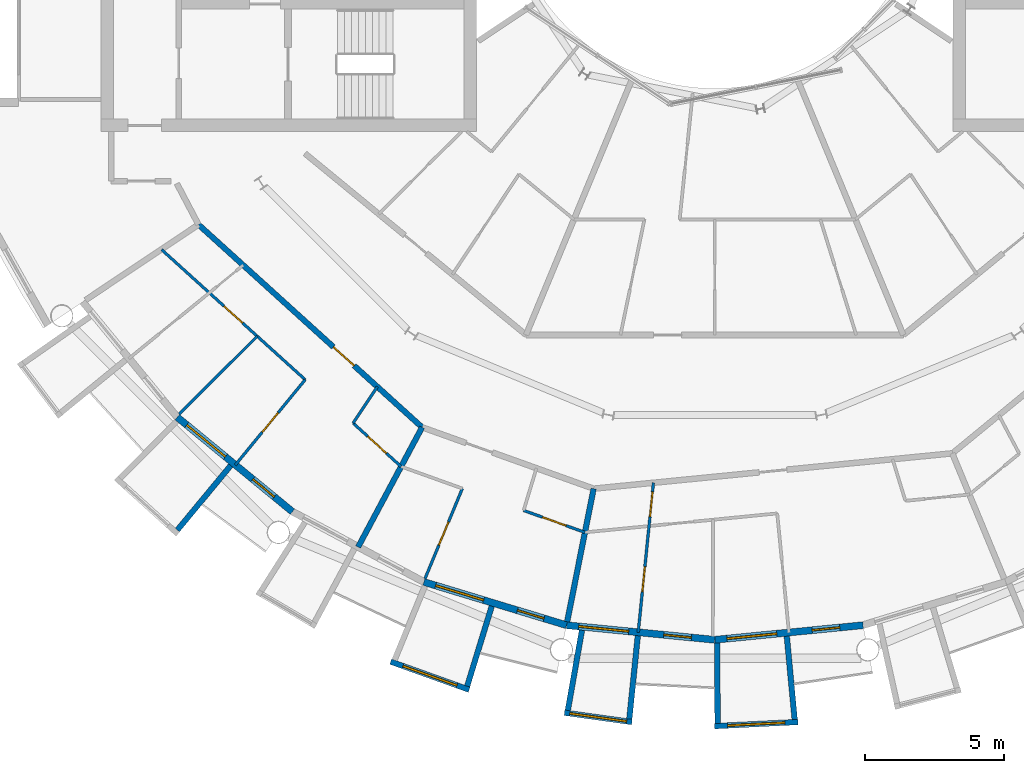
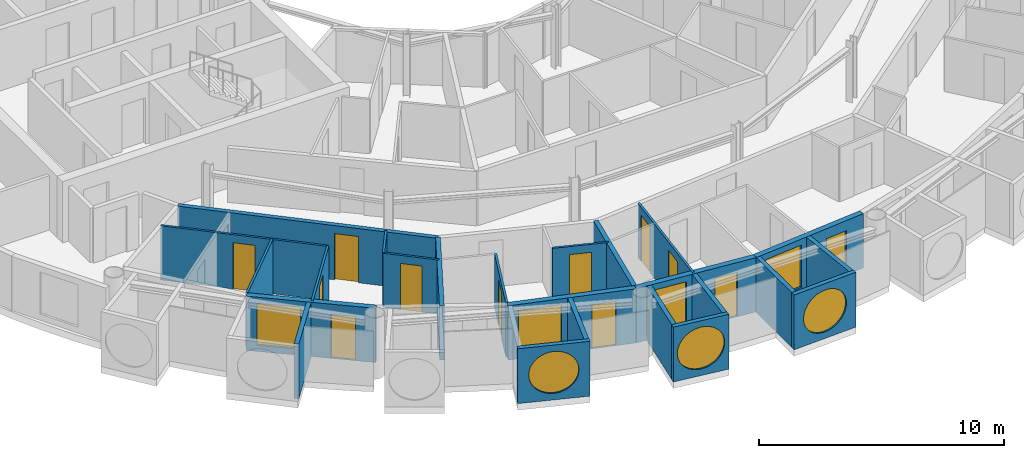
# One storey, part 15 of 29: 24 walls, 12 doors, 7 windows, 19 openings.
"""IFC4 building model written with IfcOpenShell, lengths in metres."""

import ifcopenshell
import ifcopenshell.guid

model = None  # the IFC model being written
_history = None  # IfcOwnerHistory: only IFC2X3 demands one
_inside = {}  # id of a spatial element -> (the spatial element, [elements in it])
_under = {}  # id of a project, library or spatial element -> (it, [spatial elements below it])
_declared = {}  # id of a project -> (the project, [libraries it declares])
_typed = {}  # id of a type object -> (the type object, [elements of that type])
_made_of = {}  # id of a material, layer set ... -> (it, [elements and type objects made of it])


def new_model(schema):
    """Start an empty IFC model of exactly this schema.

    Asked for "IFC4X3", IfcOpenShell would pick the latest addendum, in which some entities
    have other attributes; the version numbers below select the first issue.
    IFC2X3 requires an IfcOwnerHistory on every rooted entity: one is made here for all.
    """
    global model, _history
    if schema == "IFC4X3":
        model = ifcopenshell.file(schema_version=(4, 3, 0, 0))
    else:
        model = ifcopenshell.file(schema=schema)
    _inside.clear()
    _under.clear()
    _declared.clear()
    _typed.clear()
    _made_of.clear()
    _history = None
    if model.schema == "IFC2X3":
        org = make("IfcOrganization", Name="unknown")
        user = make(
            "IfcPersonAndOrganization",
            ThePerson=make("IfcPerson", FamilyName="unknown"),
            TheOrganization=org,
        )
        app = make(
            "IfcApplication",
            ApplicationDeveloper=org,
            Version="unknown",
            ApplicationFullName="unknown",
            ApplicationIdentifier="unknown",
        )
        _history = make(
            "IfcOwnerHistory",
            OwningUser=user,
            OwningApplication=app,
            ChangeAction="ADDED",
            CreationDate=0,
        )
    return model


def make(cls, **values):
    """One entity of the class cls with the attributes given. An attribute that is None is left unset."""
    return model.create_entity(
        cls, **{name: value for name, value in values.items() if value is not None}
    )


def rooted(cls, **values):
    """An entity with a GlobalId (a new one), such as an element, a storey or a relation."""
    return make(cls, GlobalId=ifcopenshell.guid.new(), OwnerHistory=_history, **values)


def si_unit(unit_type, name, prefix=None):
    """IfcSIUnit, for example si_unit("LENGTHUNIT", "METRE", prefix="MILLI")."""
    return make("IfcSIUnit", UnitType=unit_type, Prefix=prefix, Name=name)


def assignment(units):
    """IfcUnitAssignment: the units of a project."""
    return None if units is None else make("IfcUnitAssignment", Units=units)


def point(xyz):
    """IfcCartesianPoint."""
    return None if xyz is None else make("IfcCartesianPoint", Coordinates=xyz)


def direction(xyz):
    """IfcDirection."""
    return None if xyz is None else make("IfcDirection", DirectionRatios=xyz)


def frame(location, z_axis=None, x_axis=None):
    """IfcAxis2Placement3D, a coordinate frame: its origin and axes. An axis left out is left unset."""
    return make(
        "IfcAxis2Placement3D",
        Location=point(location),
        Axis=direction(z_axis),
        RefDirection=direction(x_axis),
    )


def frame_2d(location, x_axis=None):
    """IfcAxis2Placement2D, a coordinate frame in the plane: its origin and x axis."""
    return make(
        "IfcAxis2Placement2D", Location=point(location), RefDirection=direction(x_axis)
    )


def origin():
    """The frame at (0, 0, 0) with its axes left unset."""
    return frame((0.0, 0.0, 0.0))


def place(relative_to, where):
    """IfcLocalPlacement: puts the frame where relative to a parent placement (None: the world)."""
    return make(
        "IfcLocalPlacement", PlacementRelTo=relative_to, RelativePlacement=where
    )


def context(
    kind, dimensions, precision=None, world=None, true_north=None, identifier=None
):
    """IfcGeometricRepresentationContext, for example the 3D "Model" context."""
    return make(
        "IfcGeometricRepresentationContext",
        ContextIdentifier=identifier,
        ContextType=kind,
        CoordinateSpaceDimension=dimensions,
        Precision=precision,
        WorldCoordinateSystem=world,
        TrueNorth=true_north,
    )


def subcontext(parent, identifier, kind, view, scale=None):
    """IfcGeometricRepresentationSubContext, for example "Body" below "Model"."""
    return make(
        "IfcGeometricRepresentationSubContext",
        ContextIdentifier=identifier,
        ContextType=kind,
        ParentContext=parent,
        TargetScale=scale,
        TargetView=view,
    )


def project(units=None, contexts=None):
    """IfcProject with its units and contexts."""
    return rooted(
        "IfcProject",
        Name="project",
        RepresentationContexts=contexts,
        UnitsInContext=assignment(units),
    )


def spatial(cls, under=None, at=None, **own):
    """A site, building, storey or space (cls), placed at a placement, below another one or the project."""
    s = rooted(cls, ObjectPlacement=at, **own)
    if under is not None:
        _under.setdefault(under.id(), (under, []))[1].append(s)
    return s


def profile(cls, at=None, kind="AREA", **sizes):
    """A parametric profile (cls). Its sizes go by their IFC names, for example OverallWidth=200.0."""
    return make(cls, ProfileType=kind, Position=at, **sizes)


def rectangle(**sizes):
    """IfcRectangleProfileDef."""
    return profile("IfcRectangleProfileDef", **sizes)


def circle(**sizes):
    """IfcCircleProfileDef."""
    return profile("IfcCircleProfileDef", **sizes)


def extrude(swept, where, along, depth):
    """IfcExtrudedAreaSolid: the profile swept, set in the frame where, extruded along a direction by depth."""
    return make(
        "IfcExtrudedAreaSolid",
        SweptArea=swept,
        Position=where,
        ExtrudedDirection=direction(along),
        Depth=depth,
    )


def shape(context_of_items, identifier, shape_type, items):
    """IfcShapeRepresentation: the items that make up one representation, for example the "Body"."""
    return make(
        "IfcShapeRepresentation",
        ContextOfItems=context_of_items,
        RepresentationIdentifier=identifier,
        RepresentationType=shape_type,
        Items=items,
    )


def material(Name=None, Category=None):
    """IfcMaterial."""
    return make("IfcMaterial", Name=Name, Category=Category)


def layer(
    of_material, thickness, ventilated=None, Name=None, Category=None, Priority=None
):
    """IfcMaterialLayer: one layer of a wall or slab, of a material (None: an air gap)."""
    return make(
        "IfcMaterialLayer",
        Material=of_material,
        LayerThickness=thickness,
        IsVentilated=ventilated,
        Name=Name,
        Category=Category,
        Priority=Priority,
    )


def layer_set(layers, Name=None):
    """IfcMaterialLayerSet."""
    return make("IfcMaterialLayerSet", MaterialLayers=layers, LayerSetName=Name)


def made_of(thing, what):
    """Note that an element or type object is made of a material, layer set ...; save() writes the relation."""
    if what is not None:
        _made_of.setdefault(what.id(), (what, []))[1].append(thing)
    return thing


def type_object(cls, material=None, **own):
    """A type object (cls), such as IfcWallType, which elements share."""
    return made_of(rooted(cls, **own), material)


def element(
    cls,
    number,
    at=None,
    inside=None,
    cuts=None,
    type_object=None,
    material=None,
    context=None,
    identifier="Body",
    shape_type=None,
    held_by="IfcProductDefinitionShape",
    body=None,
    shapes=None,
    **own,
):
    """One element of the class cls, such as IfcWall. Its Tag is "e" and its number.

    at: its placement. inside: the storey or other place that contains it. cuts: it is an
    opening in that element (IfcRelVoidsElement). A single representation is given by context,
    identifier, shape_type and body (its items); several are given by shapes. held_by: the class
    of the entity that holds the representations. save() writes the other relations.
    """
    e = rooted(cls, Tag="e%d" % number, ObjectPlacement=at, **own)
    if body is not None:
        shapes = [shape(context, identifier, shape_type, body)]
    if shapes is not None:
        e.Representation = make(held_by, Representations=shapes)
    if inside is not None:
        _inside.setdefault(inside.id(), (inside, []))[1].append(e)
    if cuts is not None:
        rooted(
            "IfcRelVoidsElement", RelatingBuildingElement=cuts, RelatedOpeningElement=e
        )
    if type_object is not None:
        _typed.setdefault(type_object.id(), (type_object, []))[1].append(e)
    return made_of(e, material)


def fill(opening, filler):
    """IfcRelFillsElement: the door or window that sits in an opening."""
    return rooted(
        "IfcRelFillsElement",
        RelatingOpeningElement=opening,
        RelatedBuildingElement=filler,
    )


def aggregate(whole, parts):
    """IfcRelAggregates: a whole, such as a stair, and the parts it consists of."""
    return rooted("IfcRelAggregates", RelatingObject=whole, RelatedObjects=parts)


def save(model, path):
    """Write the relations noted so far, then the file.

    IfcRelAggregates (storeys below a building ...), IfcRelContainedInSpatialStructure (elements
    in a storey), IfcRelDefinesByType, IfcRelAssociatesMaterial and IfcRelDeclares: one each for
    every whole, place, type object, material and project.
    """
    for whole, parts in _under.values():
        aggregate(whole, parts)
    for where, things in _inside.values():
        rooted(
            "IfcRelContainedInSpatialStructure",
            RelatedElements=things,
            RelatingStructure=where,
        )
    for kind, things in _typed.values():
        rooted("IfcRelDefinesByType", RelatedObjects=things, RelatingType=kind)
    for what, things in _made_of.values():
        rooted("IfcRelAssociatesMaterial", RelatedObjects=things, RelatingMaterial=what)
    for by, libraries in _declared.values():
        rooted("IfcRelDeclares", RelatingContext=by, RelatedDefinitions=libraries)
    model.write(path)


model = new_model("IFC4")

# Units and contexts
model_context = context("Model", 3, precision=1e-05, world=origin(), true_north=direction((0.0, 1.0)))
body_context = subcontext(model_context, "Body", "Model", "MODEL_VIEW")
ifc_project = project(units=[si_unit("LENGTHUNIT", "METRE"), si_unit("AREAUNIT", "SQUARE_METRE"), si_unit("VOLUMEUNIT", "CUBIC_METRE"), si_unit("PLANEANGLEUNIT", "RADIAN"), si_unit("MASSUNIT", "GRAM", prefix="KILO")], contexts=[model_context])

# Site, building, storey
site_placement = place(None, origin())
site = spatial("IfcSite", under=ifc_project, at=site_placement, CompositionType="ELEMENT")
building_placement = place(site_placement, origin())
building = spatial("IfcBuilding", under=site, at=building_placement, Name="Maasbend Ring Residences", CompositionType="ELEMENT")
storey_placement = place(building_placement, frame((0.0, 0.0, 205.449951171875)))
storey = spatial("IfcBuildingStorey", under=building, at=storey_placement, Name="L59", CompositionType="ELEMENT", Elevation=205.449951171875)

# Wall, opening, door
ifc_material_1 = material(Name="Concrete C30/37", Category="concrete")
ifc_layer_1 = layer(ifc_material_1, 0.199951171875)
ifc_layer_set_1 = layer_set([ifc_layer_1], Name="Concrete C30/37")
wall_type_1 = type_object("IfcWallType", Name="CORRIDOR WALL 200 CONCRETE", PredefinedType="PARTITIONING", material=ifc_layer_set_1)
wall_1_placement = place(storey_placement, frame((-18.5419921875, -12.388916015625, 0.0), z_axis=(0.0, 0.0, 1.0), x_axis=(0.74093897184, -0.671572363941, 0.0)))
wall_1 = element("IfcWall", 1, at=wall_1_placement, inside=storey, type_object=wall_type_1, Name="U-L59-w014", PredefinedType="PARTITIONING", context=body_context, shape_type="SweptSolid", body=[
    extrude(rectangle(XDim=10.84033203125, YDim=0.199951171875, at=frame_2d((5.420166015625, 0.0))), origin(), (0.0, 0.0, 1.0), 2.699951171875),
])
opening_1_placement = place(wall_1_placement, frame((6.5439453125, 0.0, 0.0)))
opening_1 = element("IfcOpeningElement", 2, at=opening_1_placement, cuts=wall_1, Name="Opening D-5934", PredefinedType="OPENING", context=body_context, shape_type="SweptSolid", body=[
    extrude(rectangle(XDim=1.0, YDim=2.300048828125, at=frame_2d((0.5, 1.14990234375))), frame((0.0, 0.10986328125, 0.0), z_axis=(0.0, -1.0, 0.0), x_axis=(1.0, 0.0, 0.0)), (0.0, 0.0, 1.0), 0.219970703125),
])
ifc_material_2 = material(Name="Timber, fire-rated, painted", Category="wood")
door_type_1 = type_object("IfcDoorType", Name="FLAT ENTRANCE DOOR 1000 X 2300 FIRE-RATED", OperationType="NOTDEFINED", PredefinedType="DOOR", material=ifc_material_2)
door_1_placement = place(opening_1_placement, origin())
door_1 = element("IfcDoor", 3, at=door_1_placement, inside=storey, type_object=door_type_1, Name="D-5934", OperationType="SINGLE_SWING_RIGHT", OverallHeight=2.300048828125, OverallWidth=1.0, PredefinedType="DOOR", context=body_context, shape_type="SweptSolid", body=[
    extrude(rectangle(XDim=1.0, YDim=2.300048828125, at=frame_2d((0.5, 1.14990234375))), frame((0.0, 0.02490234375, 0.0), z_axis=(0.0, -1.0, 0.0), x_axis=(1.0, 0.0, 0.0)), (0.0, 0.0, 1.0), 0.050048828125),
])
fill(opening_1, door_1)

# Wall
ifc_material_3 = material(Name="Pale anodised aluminium panel", Category="aluminium")
ifc_layer_2 = layer(ifc_material_3, 0.199951171875)
ifc_layer_set_2 = layer_set([ifc_layer_2], Name="EW-BOX")
wall_type_2 = type_object("IfcWallType", Name="EW-BOX", PredefinedType="SOLIDWALL", material=ifc_layer_set_2)
wall_2_placement = place(storey_placement, frame((-17.384033203125, -21.041015625, -0.030029296875), z_axis=(0.0, 0.0, 1.0), x_axis=(-0.63709551667, -0.770784861449, 0.0)))
element("IfcWall", 4, at=wall_2_placement, inside=storey, type_object=wall_type_2, Name="Box side wall S03 right", PredefinedType="SOLIDWALL", context=body_context, shape_type="SweptSolid", body=[
    extrude(rectangle(XDim=3.005859375, YDim=0.199951171875, at=frame_2d((1.5029296875, 0.0))), origin(), (0.0, 0.0, 1.0), 2.72998046875),
])

# Wall, opening, window
wall_3_placement = place(storey_placement, frame((-11.637939453125, -28.083984375, -0.030029296875), z_axis=(0.0, 0.0, 1.0), x_axis=(0.941461077774, -0.337121697664, 0.0)))
wall_3 = element("IfcWall", 5, at=wall_3_placement, inside=storey, type_object=wall_type_2, Name="Box front S07", PredefinedType="SOLIDWALL", context=body_context, shape_type="SweptSolid", body=[
    extrude(rectangle(XDim=2.9931640625, YDim=0.199951171875, at=frame_2d((1.49658203125, 0.0))), origin(), (0.0, 0.0, 1.0), 2.72998046875),
])
opening_2_placement = place(wall_3_placement, frame((0.45654296875, 0.0, 0.330078125)))
opening_2 = element("IfcOpeningElement", 6, at=opening_2_placement, cuts=wall_3, Name="Opening W-RD", PredefinedType="OPENING", context=body_context, shape_type="SweptSolid", body=[
    extrude(circle(Radius=1.0400390625, at=frame_2d((1.0400390625, 1.0400390625))), frame((0.0, 0.10986328125, 0.0), z_axis=(0.0, -1.0, 0.0), x_axis=(1.0, 0.0, 0.0)), (0.0, 0.0, 1.0), 0.219970703125),
])
ifc_material_4 = material(Name="Aluminium and clear glass", Category="aluminium")
window_type_1 = type_object("IfcWindowType", Name="W-RD", PartitioningType="SINGLE_PANEL", PredefinedType="WINDOW", material=ifc_material_4)
window_1_placement = place(opening_2_placement, origin())
window_1 = element("IfcWindow", 7, at=window_1_placement, inside=storey, type_object=window_type_1, Name="Round window S07", OverallHeight=2.080078125, OverallWidth=2.080078125, PartitioningType="SINGLE_PANEL", PredefinedType="WINDOW", context=body_context, shape_type="SweptSolid", body=[
    extrude(circle(Radius=1.0400390625, at=frame_2d((1.0400390625, 1.0400390625))), frame((0.0, 0.030029296875, 0.0), z_axis=(0.0, -1.0, 0.0), x_axis=(1.0, 0.0, 0.0)), (0.0, 0.0, 1.0), 0.06005859375),
])
fill(opening_2, window_1)

# Wall
wall_4_placement = place(storey_placement, frame((-8.009033203125, -26.092041015625, -0.030029296875), z_axis=(0.0, 0.0, 1.0), x_axis=(-0.293406695073, -0.955987715029, 0.0)))
element("IfcWall", 8, at=wall_4_placement, inside=storey, type_object=wall_type_2, Name="Box side wall S07 right", PredefinedType="SOLIDWALL", context=body_context, shape_type="SweptSolid", body=[
    extrude(rectangle(XDim=3.00634765625, YDim=0.199951171875, at=frame_2d((1.503173828125, 0.0))), origin(), (0.0, 0.0, 1.0), 2.72998046875),
])

# Wall, opening, window
wall_5_placement = place(storey_placement, frame((-5.39794921875, -29.9169921875, -0.030029296875), z_axis=(0.0, 0.0, 1.0), x_axis=(0.990462016113, -0.137786046596, 0.0)))
wall_5 = element("IfcWall", 9, at=wall_5_placement, inside=storey, type_object=wall_type_2, Name="Box front S09", PredefinedType="SOLIDWALL", context=body_context, shape_type="SweptSolid", body=[
    extrude(rectangle(XDim=2.4453125, YDim=0.199951171875, at=frame_2d((1.22265625, 0.0))), origin(), (0.0, 0.0, 1.0), 2.72998046875),
])
opening_3_placement = place(wall_5_placement, frame((0.182861328125, 0.0, 0.330078125)))
opening_3 = element("IfcOpeningElement", 10, at=opening_3_placement, cuts=wall_5, Name="Opening W-RD", PredefinedType="OPENING", context=body_context, shape_type="SweptSolid", body=[
    extrude(circle(Radius=1.0400390625, at=frame_2d((1.0400390625, 1.0400390625))), frame((0.0, 0.10986328125, 0.0), z_axis=(0.0, -1.0, 0.0), x_axis=(1.0, 0.0, 0.0)), (0.0, 0.0, 1.0), 0.219970703125),
])
window_2_placement = place(opening_3_placement, origin())
window_2 = element("IfcWindow", 11, at=window_2_placement, inside=storey, type_object=window_type_1, Name="Round window S09", OverallHeight=2.080078125, OverallWidth=2.080078125, PartitioningType="SINGLE_PANEL", PredefinedType="WINDOW", context=body_context, shape_type="SweptSolid", body=[
    extrude(circle(Radius=1.0400390625, at=frame_2d((1.0400390625, 1.0400390625))), frame((0.0, 0.030029296875, 0.0), z_axis=(0.0, -1.0, 0.0), x_axis=(1.0, 0.0, 0.0)), (0.0, 0.0, 1.0), 0.06005859375),
])
fill(opening_3, window_2)

# Walls
wall_6_placement = place(storey_placement, frame((-4.76904296875, -26.9560546875, -0.030029296875), z_axis=(0.0, 0.0, 1.0), x_axis=(-0.174056778901, -0.984735618183, 0.0)))
element("IfcWall", 12, at=wall_6_placement, inside=storey, type_object=wall_type_2, Name="Box side wall S09 left", PredefinedType="SOLIDWALL", context=body_context, shape_type="SweptSolid", body=[
    extrude(rectangle(XDim=2.924560546875, YDim=0.199951171875, at=frame_2d((1.46240234375, 0.0))), origin(), (0.0, 0.0, 1.0), 2.72998046875),
])
wall_7_placement = place(storey_placement, frame((-2.763916015625, -27.153076171875, -0.030029296875), z_axis=(0.0, 0.0, 1.0), x_axis=(-0.101505487237, -0.994834979311, 0.0)))
element("IfcWall", 13, at=wall_7_placement, inside=storey, type_object=wall_type_2, Name="Box side wall S09 right", PredefinedType="SOLIDWALL", context=body_context, shape_type="SweptSolid", body=[
    extrude(rectangle(XDim=3.006591796875, YDim=0.199951171875, at=frame_2d((1.50341796875, 0.0))), origin(), (0.0, 0.0, 1.0), 2.72998046875),
])

# Wall, opening, window
wall_8_placement = place(storey_placement, frame((-0.0048828125, -30.39990234375, -0.030029296875), z_axis=(0.0, 0.0, 1.0), x_axis=(0.998794083011, 0.049095618353, 0.0)))
wall_8 = element("IfcWall", 14, at=wall_8_placement, inside=storey, type_object=wall_type_2, Name="Box front S11", PredefinedType="SOLIDWALL", context=body_context, shape_type="SweptSolid", body=[
    extrude(rectangle(XDim=2.99365234375, YDim=0.199951171875, at=frame_2d((1.496826171875, 0.0))), origin(), (0.0, 0.0, 1.0), 2.72998046875),
])
opening_4_placement = place(wall_8_placement, frame((0.45654296875, 0.0, 0.330078125)))
opening_4 = element("IfcOpeningElement", 15, at=opening_4_placement, cuts=wall_8, Name="Opening W-RD", PredefinedType="OPENING", context=body_context, shape_type="SweptSolid", body=[
    extrude(circle(Radius=1.0400390625, at=frame_2d((1.0400390625, 1.0400390625))), frame((0.0, 0.10986328125, 0.0), z_axis=(0.0, -1.0, 0.0), x_axis=(1.0, 0.0, 0.0)), (0.0, 0.0, 1.0), 0.219970703125),
])
window_3_placement = place(opening_4_placement, origin())
window_3 = element("IfcWindow", 16, at=window_3_placement, inside=storey, type_object=window_type_1, Name="Round window S11", OverallHeight=2.080078125, OverallWidth=2.080078125, PartitioningType="SINGLE_PANEL", PredefinedType="WINDOW", context=body_context, shape_type="SweptSolid", body=[
    extrude(circle(Radius=1.0400390625, at=frame_2d((1.0400390625, 1.0400390625))), frame((0.0, 0.030029296875, 0.0), z_axis=(0.0, -1.0, 0.0), x_axis=(1.0, 0.0, 0.0)), (0.0, 0.0, 1.0), 0.06005859375),
])
fill(opening_4, window_3)

# Walls
wall_9_placement = place(storey_placement, frame((0.090087890625, -27.4169921875, -0.030029296875), z_axis=(0.0, 0.0, 1.0), x_axis=(0.00347308367, -0.999993968827, 0.0)))
element("IfcWall", 17, at=wall_9_placement, inside=storey, type_object=wall_type_2, Name="Box side wall S11 left", PredefinedType="SOLIDWALL", context=body_context, shape_type="SweptSolid", body=[
    extrude(rectangle(XDim=2.882080078125, YDim=0.199951171875, at=frame_2d((1.44091796875, 0.0))), origin(), (0.0, 0.0, 1.0), 2.72998046875),
])
wall_10_placement = place(storey_placement, frame((2.5859375, -27.1708984375, -0.030029296875), z_axis=(0.0, 0.0, 1.0), x_axis=(0.094548432284, -0.995520262954, 0.0)))
element("IfcWall", 18, at=wall_10_placement, inside=storey, type_object=wall_type_2, Name="Box side wall S11 right", PredefinedType="SOLIDWALL", context=body_context, shape_type="SweptSolid", body=[
    extrude(rectangle(XDim=3.005615234375, YDim=0.199951171875, at=frame_2d((1.5029296875, 0.0))), origin(), (0.0, 0.0, 1.0), 2.72998046875),
])

# Wall, openings, door, window
ifc_material_5 = material(Name="Aluminium clad insulated panel", Category="aluminium")
ifc_layer_3 = layer(ifc_material_5, 0.25)
ifc_layer_set_3 = layer_set([ifc_layer_3], Name="EW-GL")
wall_type_3 = type_object("IfcWallType", Name="EW-GL", PredefinedType="SOLIDWALL", material=ifc_layer_set_3)
wall_11_placement = place(storey_placement, frame((-19.303955078125, -19.303955078125, 0.0), z_axis=(0.0, 0.0, 1.0), x_axis=(0.773019449054, -0.634382322723, 0.0)))
wall_11 = element("IfcWall", 19, at=wall_11_placement, inside=storey, type_object=wall_type_3, Name="External wall S02", PredefinedType="SOLIDWALL", context=body_context, shape_type="SweptSolid", body=[
    extrude(rectangle(XDim=5.351806640625, YDim=0.25, at=frame_2d((2.67578125, 0.0))), origin(), (0.0, 0.0, 1.0), 2.699951171875),
])
opening_5_placement = place(wall_11_placement, frame((0.441162109375, 0.0, 0.300048828125)))
opening_5 = element("IfcOpeningElement", 20, at=opening_5_placement, cuts=wall_11, Name="Opening W-BX", PredefinedType="OPENING", context=body_context, shape_type="SweptSolid", body=[
    extrude(rectangle(XDim=1.800048828125, YDim=2.10009765625, at=frame_2d((0.89990234375, 1.050048828125))), frame((0.0, 0.135009765625, 0.0), z_axis=(0.0, -1.0, 0.0), x_axis=(1.0, 0.0, 0.0)), (0.0, 0.0, 1.0), 0.27001953125),
])
opening_6_placement = place(wall_11_placement, frame((3.510498046875, 0.0, 0.0)))
opening_6 = element("IfcOpeningElement", 21, at=opening_6_placement, cuts=wall_11, Name="Opening D-LG", PredefinedType="OPENING", context=body_context, shape_type="SweptSolid", body=[
    extrude(rectangle(XDim=1.0, YDim=2.199951171875, at=frame_2d((0.5, 1.10009765625))), frame((0.0, 0.135009765625, 0.0), z_axis=(0.0, -1.0, 0.0), x_axis=(1.0, 0.0, 0.0)), (0.0, 0.0, 1.0), 0.27001953125),
])
ifc_material_6 = material(Name="Aluminium and clear glass", Category="aluminium")
door_type_2 = type_object("IfcDoorType", Name="D-LG", OperationType="SINGLE_SWING_LEFT", PredefinedType="DOOR", material=ifc_material_6)
door_2_placement = place(opening_6_placement, origin())
door_2 = element("IfcDoor", 22, at=door_2_placement, inside=storey, type_object=door_type_2, Name="Loggia door S04", OperationType="SINGLE_SWING_LEFT", OverallHeight=2.199951171875, OverallWidth=1.0, PredefinedType="DOOR", context=body_context, shape_type="SweptSolid", body=[
    extrude(rectangle(XDim=1.0, YDim=2.199951171875, at=frame_2d((0.5, 1.10009765625))), frame((0.0, 0.02490234375, 0.0), z_axis=(0.0, -1.0, 0.0), x_axis=(1.0, 0.0, 0.0)), (0.0, 0.0, 1.0), 0.050048828125),
])
fill(opening_6, door_2)
ifc_material_7 = material(Name="Aluminium and clear glass", Category="aluminium")
window_type_2 = type_object("IfcWindowType", Name="W-BX", PartitioningType="DOUBLE_PANEL_VERTICAL", PredefinedType="WINDOW", material=ifc_material_7)
window_4_placement = place(opening_5_placement, origin())
window_4 = element("IfcWindow", 23, at=window_4_placement, inside=storey, type_object=window_type_2, Name="Window S03 room to box", OverallHeight=2.10009765625, OverallWidth=1.800048828125, PartitioningType="SINGLE_PANEL", PredefinedType="WINDOW", context=body_context, shape_type="SweptSolid", body=[
    extrude(rectangle(XDim=1.800048828125, YDim=2.10009765625, at=frame_2d((0.89990234375, 1.050048828125))), frame((0.0, 0.030029296875, 0.0), z_axis=(0.0, -1.0, 0.0), x_axis=(1.0, 0.0, 0.0)), (0.0, 0.0, 1.0), 0.06005859375),
])
fill(opening_5, window_4)

wall_12_placement = place(storey_placement, frame((-10.447021484375, -25.221923828125, 0.0), z_axis=(0.0, 0.0, 1.0), x_axis=(0.956965678721, -0.290201119486, 0.0)))
wall_12 = element("IfcWall", 24, at=wall_12_placement, inside=storey, type_object=wall_type_3, Name="External wall S04", PredefinedType="SOLIDWALL", context=body_context, shape_type="SweptSolid", body=[
    extrude(rectangle(XDim=5.351318359375, YDim=0.25, at=frame_2d((2.67578125, 0.0))), origin(), (0.0, 0.0, 1.0), 2.699951171875),
])
opening_7_placement = place(wall_12_placement, frame((0.441162109375, 0.0, 0.300048828125)))
opening_7 = element("IfcOpeningElement", 25, at=opening_7_placement, cuts=wall_12, Name="Opening W-BX", PredefinedType="OPENING", context=body_context, shape_type="SweptSolid", body=[
    extrude(rectangle(XDim=1.800048828125, YDim=2.10009765625, at=frame_2d((0.89990234375, 1.050048828125))), frame((0.0, 0.135009765625, 0.0), z_axis=(0.0, -1.0, 0.0), x_axis=(1.0, 0.0, 0.0)), (0.0, 0.0, 1.0), 0.27001953125),
])
opening_8_placement = place(wall_12_placement, frame((3.510498046875, 0.0, 0.0)))
opening_8 = element("IfcOpeningElement", 26, at=opening_8_placement, cuts=wall_12, Name="Opening D-LG", PredefinedType="OPENING", context=body_context, shape_type="SweptSolid", body=[
    extrude(rectangle(XDim=1.0, YDim=2.199951171875, at=frame_2d((0.5, 1.10009765625))), frame((0.0, 0.135009765625, 0.0), z_axis=(0.0, -1.0, 0.0), x_axis=(1.0, 0.0, 0.0)), (0.0, 0.0, 1.0), 0.27001953125),
])
door_3_placement = place(opening_8_placement, origin())
door_3 = element("IfcDoor", 27, at=door_3_placement, inside=storey, type_object=door_type_2, Name="Loggia door S08", OperationType="SINGLE_SWING_LEFT", OverallHeight=2.199951171875, OverallWidth=1.0, PredefinedType="DOOR", context=body_context, shape_type="SweptSolid", body=[
    extrude(rectangle(XDim=1.0, YDim=2.199951171875, at=frame_2d((0.5, 1.10009765625))), frame((0.0, 0.02490234375, 0.0), z_axis=(0.0, -1.0, 0.0), x_axis=(1.0, 0.0, 0.0)), (0.0, 0.0, 1.0), 0.050048828125),
])
fill(opening_8, door_3)
window_5_placement = place(opening_7_placement, origin())
window_5 = element("IfcWindow", 28, at=window_5_placement, inside=storey, type_object=window_type_2, Name="Window S07 room to box", OverallHeight=2.10009765625, OverallWidth=1.800048828125, PartitioningType="SINGLE_PANEL", PredefinedType="WINDOW", context=body_context, shape_type="SweptSolid", body=[
    extrude(rectangle(XDim=1.800048828125, YDim=2.10009765625, at=frame_2d((0.89990234375, 1.050048828125))), frame((0.0, 0.030029296875, 0.0), z_axis=(0.0, -1.0, 0.0), x_axis=(1.0, 0.0, 0.0)), (0.0, 0.0, 1.0), 0.06005859375),
])
fill(opening_7, window_5)

wall_13_placement = place(storey_placement, frame((-5.325927734375, -26.77490234375, 0.0), z_axis=(0.0, 0.0, 1.0), x_axis=(0.995173996315, -0.098126026407, 0.0)))
wall_13 = element("IfcWall", 29, at=wall_13_placement, inside=storey, type_object=wall_type_3, Name="External wall S05", PredefinedType="SOLIDWALL", context=body_context, shape_type="SweptSolid", body=[
    extrude(rectangle(XDim=5.351806640625, YDim=0.25, at=frame_2d((2.67578125, 0.0))), origin(), (0.0, 0.0, 1.0), 2.699951171875),
])
opening_9_placement = place(wall_13_placement, frame((0.441162109375, 0.0, 0.300048828125)))
opening_9 = element("IfcOpeningElement", 30, at=opening_9_placement, cuts=wall_13, Name="Opening W-BX", PredefinedType="OPENING", context=body_context, shape_type="SweptSolid", body=[
    extrude(rectangle(XDim=1.800048828125, YDim=2.10009765625, at=frame_2d((0.89990234375, 1.050048828125))), frame((0.0, 0.135009765625, 0.0), z_axis=(0.0, -1.0, 0.0), x_axis=(1.0, 0.0, 0.0)), (0.0, 0.0, 1.0), 0.27001953125),
])
opening_10_placement = place(wall_13_placement, frame((3.510498046875, 0.0, 0.0)))
opening_10 = element("IfcOpeningElement", 31, at=opening_10_placement, cuts=wall_13, Name="Opening D-LG", PredefinedType="OPENING", context=body_context, shape_type="SweptSolid", body=[
    extrude(rectangle(XDim=1.0, YDim=2.199951171875, at=frame_2d((0.5, 1.10009765625))), frame((0.0, 0.135009765625, 0.0), z_axis=(0.0, -1.0, 0.0), x_axis=(1.0, 0.0, 0.0)), (0.0, 0.0, 1.0), 0.27001953125),
])
door_4_placement = place(opening_10_placement, origin())
door_4 = element("IfcDoor", 32, at=door_4_placement, inside=storey, type_object=door_type_2, Name="Loggia door S10", OperationType="SINGLE_SWING_LEFT", OverallHeight=2.199951171875, OverallWidth=1.0, PredefinedType="DOOR", context=body_context, shape_type="SweptSolid", body=[
    extrude(rectangle(XDim=1.0, YDim=2.199951171875, at=frame_2d((0.5, 1.10009765625))), frame((0.0, 0.02490234375, 0.0), z_axis=(0.0, -1.0, 0.0), x_axis=(1.0, 0.0, 0.0)), (0.0, 0.0, 1.0), 0.050048828125),
])
fill(opening_10, door_4)
window_6_placement = place(opening_9_placement, origin())
window_6 = element("IfcWindow", 33, at=window_6_placement, inside=storey, type_object=window_type_2, Name="Window S09 room to box", OverallHeight=2.10009765625, OverallWidth=1.800048828125, PartitioningType="SINGLE_PANEL", PredefinedType="WINDOW", context=body_context, shape_type="SweptSolid", body=[
    extrude(rectangle(XDim=1.800048828125, YDim=2.10009765625, at=frame_2d((0.89990234375, 1.050048828125))), frame((0.0, 0.030029296875, 0.0), z_axis=(0.0, -1.0, 0.0), x_axis=(1.0, 0.0, 0.0)), (0.0, 0.0, 1.0), 0.06005859375),
])
fill(opening_9, window_6)

wall_14_placement = place(storey_placement, frame((0.0, -27.300048828125, 0.0), z_axis=(0.0, 0.0, 1.0), x_axis=(0.995173996315, 0.098126026407, 0.0)))
wall_14 = element("IfcWall", 34, at=wall_14_placement, inside=storey, type_object=wall_type_3, Name="External wall S06", PredefinedType="SOLIDWALL", context=body_context, shape_type="SweptSolid", body=[
    extrude(rectangle(XDim=5.351806640625, YDim=0.25, at=frame_2d((2.67578125, 0.0))), origin(), (0.0, 0.0, 1.0), 2.699951171875),
])
opening_11_placement = place(wall_14_placement, frame((0.441162109375, 0.0, 0.300048828125)))
opening_11 = element("IfcOpeningElement", 35, at=opening_11_placement, cuts=wall_14, Name="Opening W-BX", PredefinedType="OPENING", context=body_context, shape_type="SweptSolid", body=[
    extrude(rectangle(XDim=1.800048828125, YDim=2.10009765625, at=frame_2d((0.89990234375, 1.050048828125))), frame((0.0, 0.135009765625, 0.0), z_axis=(0.0, -1.0, 0.0), x_axis=(1.0, 0.0, 0.0)), (0.0, 0.0, 1.0), 0.27001953125),
])
opening_12_placement = place(wall_14_placement, frame((3.510498046875, 0.0, 0.0)))
opening_12 = element("IfcOpeningElement", 36, at=opening_12_placement, cuts=wall_14, Name="Opening D-LG", PredefinedType="OPENING", context=body_context, shape_type="SweptSolid", body=[
    extrude(rectangle(XDim=1.0, YDim=2.199951171875, at=frame_2d((0.5, 1.10009765625))), frame((0.0, 0.135009765625, 0.0), z_axis=(0.0, -1.0, 0.0), x_axis=(1.0, 0.0, 0.0)), (0.0, 0.0, 1.0), 0.27001953125),
])
door_5_placement = place(opening_12_placement, origin())
door_5 = element("IfcDoor", 37, at=door_5_placement, inside=storey, type_object=door_type_2, Name="Loggia door S12", OperationType="SINGLE_SWING_LEFT", OverallHeight=2.199951171875, OverallWidth=1.0, PredefinedType="DOOR", context=body_context, shape_type="SweptSolid", body=[
    extrude(rectangle(XDim=1.0, YDim=2.199951171875, at=frame_2d((0.5, 1.10009765625))), frame((0.0, 0.02490234375, 0.0), z_axis=(0.0, -1.0, 0.0), x_axis=(1.0, 0.0, 0.0)), (0.0, 0.0, 1.0), 0.050048828125),
])
fill(opening_12, door_5)
window_7_placement = place(opening_11_placement, origin())
window_7 = element("IfcWindow", 38, at=window_7_placement, inside=storey, type_object=window_type_2, Name="Window S11 room to box", OverallHeight=2.10009765625, OverallWidth=1.800048828125, PartitioningType="SINGLE_PANEL", PredefinedType="WINDOW", context=body_context, shape_type="SweptSolid", body=[
    extrude(rectangle(XDim=1.800048828125, YDim=2.10009765625, at=frame_2d((0.89990234375, 1.050048828125))), frame((0.0, 0.030029296875, 0.0), z_axis=(0.0, -1.0, 0.0), x_axis=(1.0, 0.0, 0.0)), (0.0, 0.0, 1.0), 0.06005859375),
])
fill(opening_11, window_7)

# Wall, opening, door
ifc_material_8 = material(Name="Gypsum board on steel studs", Category="steel")
ifc_layer_4 = layer(ifc_material_8, 0.10009765625)
ifc_layer_set_4 = layer_set([ifc_layer_4], Name="PARTITION 100 GYPSUM")
wall_type_4 = type_object("IfcWallType", Name="PARTITION 100 GYPSUM", PredefinedType="PARTITIONING", material=ifc_layer_set_4)
wall_15_placement = place(storey_placement, frame((-6.864013671875, -22.654052734375, 0.0), z_axis=(0.0, 0.0, 1.0), x_axis=(0.941498294089, -0.337017747646, 0.0)))
wall_15 = element("IfcWall", 39, at=wall_15_placement, inside=storey, type_object=wall_type_4, Name="U-L59-w002", PredefinedType="PARTITIONING", context=body_context, shape_type="SweptSolid", body=[
    extrude(rectangle(XDim=2.337646484375, YDim=0.10009765625, at=frame_2d((1.1689453125, 0.0))), origin(), (0.0, 0.0, 1.0), 2.699951171875),
])
opening_13_placement = place(wall_15_placement, frame((0.718994140625, 0.0, 0.0)))
opening_13 = element("IfcOpeningElement", 40, at=opening_13_placement, cuts=wall_15, Name="Opening D-5941", PredefinedType="OPENING", context=body_context, shape_type="SweptSolid", body=[
    extrude(rectangle(XDim=0.89990234375, YDim=2.300048828125, at=frame_2d((0.449951171875, 1.14990234375))), frame((0.0, 0.06005859375, 0.0), z_axis=(0.0, -1.0, 0.0), x_axis=(1.0, 0.0, 0.0)), (0.0, 0.0, 1.0), 0.1201171875),
])
ifc_material_9 = material(Name="Timber, painted", Category="wood")
door_type_3 = type_object("IfcDoorType", Name="INTERNAL DOOR 900 X 2300", OperationType="NOTDEFINED", PredefinedType="DOOR", material=ifc_material_9)
door_6_placement = place(opening_13_placement, origin())
door_6 = element("IfcDoor", 41, at=door_6_placement, inside=storey, type_object=door_type_3, Name="D-5941", OperationType="SINGLE_SWING_LEFT", OverallHeight=2.300048828125, OverallWidth=0.89990234375, PredefinedType="DOOR", context=body_context, shape_type="SweptSolid", body=[
    extrude(rectangle(XDim=0.89990234375, YDim=2.300048828125, at=frame_2d((0.449951171875, 1.14990234375))), frame((0.0, 0.02490234375, 0.0), z_axis=(0.0, -1.0, 0.0), x_axis=(1.0, 0.0, 0.0)), (0.0, 0.0, 1.0), 0.050048828125),
])
fill(opening_13, door_6)

wall_16_placement = place(storey_placement, frame((-19.868896484375, -13.283935546875, 0.0), z_axis=(0.0, 0.0, 1.0), x_axis=(0.741104058203, -0.67139018083, 0.0)))
wall_16 = element("IfcWall", 42, at=wall_16_placement, inside=storey, type_object=wall_type_4, Name="U-L59-w003", PredefinedType="PARTITIONING", context=body_context, shape_type="SweptSolid", body=[
    extrude(rectangle(XDim=6.968994140625, YDim=0.10009765625, at=frame_2d((3.484375, 0.0))), origin(), (0.0, 0.0, 1.0), 2.699951171875),
])
opening_14_placement = place(wall_16_placement, frame((3.028076171875, 0.0, 0.0)))
opening_14 = element("IfcOpeningElement", 43, at=opening_14_placement, cuts=wall_16, Name="Opening D-5938", PredefinedType="OPENING", context=body_context, shape_type="SweptSolid", body=[
    extrude(rectangle(XDim=0.89990234375, YDim=2.300048828125, at=frame_2d((0.449951171875, 1.14990234375))), frame((0.0, 0.06005859375, 0.0), z_axis=(0.0, -1.0, 0.0), x_axis=(1.0, 0.0, 0.0)), (0.0, 0.0, 1.0), 0.1201171875),
])
door_7_placement = place(opening_14_placement, origin())
door_7 = element("IfcDoor", 44, at=door_7_placement, inside=storey, type_object=door_type_3, Name="D-5938", OperationType="SINGLE_SWING_LEFT", OverallHeight=2.300048828125, OverallWidth=0.89990234375, PredefinedType="DOOR", context=body_context, shape_type="SweptSolid", body=[
    extrude(rectangle(XDim=0.89990234375, YDim=2.300048828125, at=frame_2d((0.449951171875, 1.14990234375))), frame((0.0, 0.02490234375, 0.0), z_axis=(0.0, -1.0, 0.0), x_axis=(1.0, 0.0, 0.0)), (0.0, 0.0, 1.0), 0.050048828125),
])
fill(opening_14, door_7)

wall_17_placement = place(storey_placement, frame((-12.988037109375, -19.51806640625, 0.0), z_axis=(0.0, 0.0, 1.0), x_axis=(0.741132356378, -0.671358942988, 0.0)))
wall_17 = element("IfcWall", 45, at=wall_17_placement, inside=storey, type_object=wall_type_4, Name="U-L59-w004", PredefinedType="PARTITIONING", context=body_context, shape_type="SweptSolid", body=[
    extrude(rectangle(XDim=2.323486328125, YDim=0.10009765625, at=frame_2d((1.16162109375, 0.0))), origin(), (0.0, 0.0, 1.0), 2.699951171875),
])
opening_15_placement = place(wall_17_placement, frame((0.7119140625, 0.0, 0.0)))
opening_15 = element("IfcOpeningElement", 46, at=opening_15_placement, cuts=wall_17, Name="Opening D-5935", PredefinedType="OPENING", context=body_context, shape_type="SweptSolid", body=[
    extrude(rectangle(XDim=0.89990234375, YDim=2.300048828125, at=frame_2d((0.449951171875, 1.14990234375))), frame((0.0, 0.06005859375, 0.0), z_axis=(0.0, -1.0, 0.0), x_axis=(1.0, 0.0, 0.0)), (0.0, 0.0, 1.0), 0.1201171875),
])
door_8_placement = place(opening_15_placement, origin())
door_8 = element("IfcDoor", 47, at=door_8_placement, inside=storey, type_object=door_type_3, Name="D-5935", OperationType="SINGLE_SWING_RIGHT", OverallHeight=2.300048828125, OverallWidth=0.89990234375, PredefinedType="DOOR", context=body_context, shape_type="SweptSolid", body=[
    extrude(rectangle(XDim=0.89990234375, YDim=2.300048828125, at=frame_2d((0.449951171875, 1.14990234375))), frame((0.0, 0.02490234375, 0.0), z_axis=(0.0, -1.0, 0.0), x_axis=(1.0, 0.0, 0.0)), (0.0, 0.0, 1.0), 0.050048828125),
])
fill(opening_15, door_8)

# Wall
wall_18_placement = place(storey_placement, frame((-19.23388671875, -19.197021484375, 0.0), z_axis=(0.0, 0.0, 1.0), x_axis=(0.707722727509, 0.706490297858, 0.0)))
element("IfcWall", 48, at=wall_18_placement, inside=storey, type_object=wall_type_4, Name="U-L59-w038", PredefinedType="PARTITIONING", context=body_context, shape_type="SweptSolid", body=[
    extrude(rectangle(XDim=3.9619140625, YDim=0.10009765625, at=frame_2d((1.98095703125, 0.0))), origin(), (0.0, 0.0, 1.0), 2.699951171875),
])

# Wall, opening, door
wall_19_placement = place(storey_placement, frame((-17.218994140625, -21.02294921875, 0.0), z_axis=(0.0, 0.0, 1.0), x_axis=(0.633590098448, 0.773668913133, 0.0)))
wall_19 = element("IfcWall", 49, at=wall_19_placement, inside=storey, type_object=wall_type_4, Name="U-L59-w041", PredefinedType="PARTITIONING", context=body_context, shape_type="SweptSolid", body=[
    extrude(rectangle(XDim=3.961669921875, YDim=0.10009765625, at=frame_2d((1.98095703125, 0.0))), origin(), (0.0, 0.0, 1.0), 2.699951171875),
])
opening_16_placement = place(wall_19_placement, frame((1.531005859375, 0.0, 0.0)))
opening_16 = element("IfcOpeningElement", 50, at=opening_16_placement, cuts=wall_19, Name="Opening D-5937", PredefinedType="OPENING", context=body_context, shape_type="SweptSolid", body=[
    extrude(rectangle(XDim=0.89990234375, YDim=2.300048828125, at=frame_2d((0.449951171875, 1.14990234375))), frame((0.0, 0.06005859375, 0.0), z_axis=(0.0, -1.0, 0.0), x_axis=(1.0, 0.0, 0.0)), (0.0, 0.0, 1.0), 0.1201171875),
])
door_9_placement = place(opening_16_placement, origin())
door_9 = element("IfcDoor", 51, at=door_9_placement, inside=storey, type_object=door_type_3, Name="D-5937", OperationType="SINGLE_SWING_LEFT", OverallHeight=2.300048828125, OverallWidth=0.89990234375, PredefinedType="DOOR", context=body_context, shape_type="SweptSolid", body=[
    extrude(rectangle(XDim=0.89990234375, YDim=2.300048828125, at=frame_2d((0.449951171875, 1.14990234375))), frame((0.0, 0.02490234375, 0.0), z_axis=(0.0, -1.0, 0.0), x_axis=(1.0, 0.0, 0.0)), (0.0, 0.0, 1.0), 0.050048828125),
])
fill(opening_16, door_9)

# Wall
wall_20_placement = place(storey_placement, frame((-12.988037109375, -19.51806640625, 0.0), z_axis=(0.0, 0.0, 1.0), x_axis=(0.554125989098, 0.832432813028, 0.0)))
element("IfcWall", 52, at=wall_20_placement, inside=storey, type_object=wall_type_4, Name="U-L59-w043", PredefinedType="PARTITIONING", context=body_context, shape_type="SweptSolid", body=[
    extrude(rectangle(XDim=1.5703125, YDim=0.10009765625, at=frame_2d((0.78515625, 0.0))), origin(), (0.0, 0.0, 1.0), 2.699951171875),
])

# Wall, opening, door
wall_21_placement = place(storey_placement, frame((-10.406982421875, -25.10302734375, 0.0), z_axis=(0.0, 0.0, 1.0), x_axis=(0.382977322646, 0.9237577444, 0.0)))
wall_21 = element("IfcWall", 53, at=wall_21_placement, inside=storey, type_object=wall_type_4, Name="U-L59-w047", PredefinedType="PARTITIONING", context=body_context, shape_type="SweptSolid", body=[
    extrude(rectangle(XDim=3.504150390625, YDim=0.10009765625, at=frame_2d((1.751953125, 0.0))), origin(), (0.0, 0.0, 1.0), 2.699951171875),
])
opening_17_placement = place(wall_21_placement, frame((1.302001953125, 0.0, 0.0)))
opening_17 = element("IfcOpeningElement", 54, at=opening_17_placement, cuts=wall_21, Name="Opening D-5942", PredefinedType="OPENING", context=body_context, shape_type="SweptSolid", body=[
    extrude(rectangle(XDim=0.89990234375, YDim=2.300048828125, at=frame_2d((0.449951171875, 1.14990234375))), frame((0.0, 0.06005859375, 0.0), z_axis=(0.0, -1.0, 0.0), x_axis=(1.0, 0.0, 0.0)), (0.0, 0.0, 1.0), 0.1201171875),
])
door_10_placement = place(opening_17_placement, origin())
door_10 = element("IfcDoor", 55, at=door_10_placement, inside=storey, type_object=door_type_3, Name="D-5942", OperationType="SINGLE_SWING_LEFT", OverallHeight=2.300048828125, OverallWidth=0.89990234375, PredefinedType="DOOR", context=body_context, shape_type="SweptSolid", body=[
    extrude(rectangle(XDim=0.89990234375, YDim=2.300048828125, at=frame_2d((0.449951171875, 1.14990234375))), frame((0.0, 0.02490234375, 0.0), z_axis=(0.0, -1.0, 0.0), x_axis=(1.0, 0.0, 0.0)), (0.0, 0.0, 1.0), 0.050048828125),
])
fill(opening_17, door_10)

# Wall, openings, doors
wall_22_placement = place(storey_placement, frame((-2.75, -27.035888671875, 0.0), z_axis=(0.0, 0.0, 1.0), x_axis=(0.101248136141, 0.994861203851, 0.0)))
wall_22 = element("IfcWall", 56, at=wall_22_placement, inside=storey, type_object=wall_type_4, Name="U-L59-w058", PredefinedType="PARTITIONING", context=body_context, shape_type="SweptSolid", body=[
    extrude(rectangle(XDim=5.40380859375, YDim=0.10009765625, at=frame_2d((2.701904296875, 0.0))), origin(), (0.0, 0.0, 1.0), 2.699951171875),
])
opening_18_placement = place(wall_22_placement, frame((4.173095703125, 0.0, 0.0)))
opening_18 = element("IfcOpeningElement", 57, at=opening_18_placement, cuts=wall_22, Name="Opening D-5945", PredefinedType="OPENING", context=body_context, shape_type="SweptSolid", body=[
    extrude(rectangle(XDim=0.89990234375, YDim=2.300048828125, at=frame_2d((0.449951171875, 1.14990234375))), frame((0.0, 0.06005859375, 0.0), z_axis=(0.0, -1.0, 0.0), x_axis=(1.0, 0.0, 0.0)), (0.0, 0.0, 1.0), 0.1201171875),
])
opening_19_placement = place(wall_22_placement, frame((1.470947265625, 0.0, 0.0)))
opening_19 = element("IfcOpeningElement", 58, at=opening_19_placement, cuts=wall_22, Name="Opening D-5948", PredefinedType="OPENING", context=body_context, shape_type="SweptSolid", body=[
    extrude(rectangle(XDim=0.89990234375, YDim=2.300048828125, at=frame_2d((0.449951171875, 1.14990234375))), frame((0.0, 0.06005859375, 0.0), z_axis=(0.0, -1.0, 0.0), x_axis=(1.0, 0.0, 0.0)), (0.0, 0.0, 1.0), 0.1201171875),
])
door_11_placement = place(opening_18_placement, origin())
door_11 = element("IfcDoor", 59, at=door_11_placement, inside=storey, type_object=door_type_3, Name="D-5945", OperationType="SINGLE_SWING_RIGHT", OverallHeight=2.300048828125, OverallWidth=0.89990234375, PredefinedType="DOOR", context=body_context, shape_type="SweptSolid", body=[
    extrude(rectangle(XDim=0.89990234375, YDim=2.300048828125, at=frame_2d((0.449951171875, 1.14990234375))), frame((0.0, 0.02490234375, 0.0), z_axis=(0.0, -1.0, 0.0), x_axis=(1.0, 0.0, 0.0)), (0.0, 0.0, 1.0), 0.050048828125),
])
fill(opening_18, door_11)
door_12_placement = place(opening_19_placement, origin())
door_12 = element("IfcDoor", 60, at=door_12_placement, inside=storey, type_object=door_type_3, Name="D-5948", OperationType="SINGLE_SWING_LEFT", OverallHeight=2.300048828125, OverallWidth=0.89990234375, PredefinedType="DOOR", context=body_context, shape_type="SweptSolid", body=[
    extrude(rectangle(XDim=0.89990234375, YDim=2.300048828125, at=frame_2d((0.449951171875, 1.14990234375))), frame((0.0, 0.02490234375, 0.0), z_axis=(0.0, -1.0, 0.0), x_axis=(1.0, 0.0, 0.0)), (0.0, 0.0, 1.0), 0.050048828125),
])
fill(opening_19, door_12)

# Walls
ifc_material_10 = material(Name="Concrete C30/37", Category="concrete")
ifc_layer_5 = layer(ifc_material_10, 0.199951171875)
ifc_layer_set_5 = layer_set([ifc_layer_5], Name="Concrete C30/37")
wall_type_5 = type_object("IfcWallType", Name="PARTY WALL 200 CONCRETE", PredefinedType="PARTITIONING", material=ifc_layer_set_5)
for number, where, z_axis, x_axis, name in (
    (61, (-12.80908203125, -23.967041015625, 0.0), (0.0, 0.0, 1.0), (0.471427642527, 0.881904744211, 0.0), "U-L59-w044"),
    (62, (-5.302001953125, -26.653076171875, 0.0), (0.0, 0.0, 1.0), (0.195075825861, 0.980788163756, 0.0), "U-L59-w055"),
):
    element("IfcWall", number, at=place(storey_placement, frame(where, z_axis=z_axis, x_axis=x_axis)), inside=storey, type_object=wall_type_5, Name=name, PredefinedType="PARTITIONING", context=body_context, shape_type="SweptSolid", body=[
        extrude(rectangle(XDim=4.874755859375, YDim=0.199951171875, at=frame_2d((2.4375, 0.0))), origin(), (0.0, 0.0, 1.0), 2.699951171875),
    ])

save(model, "model.ifc")
